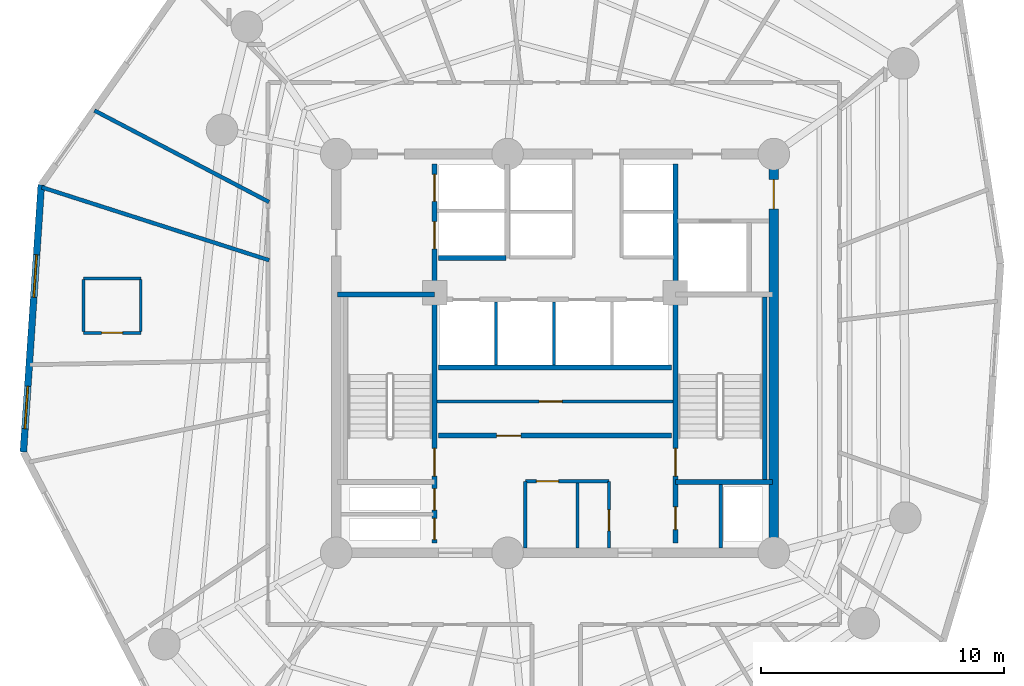
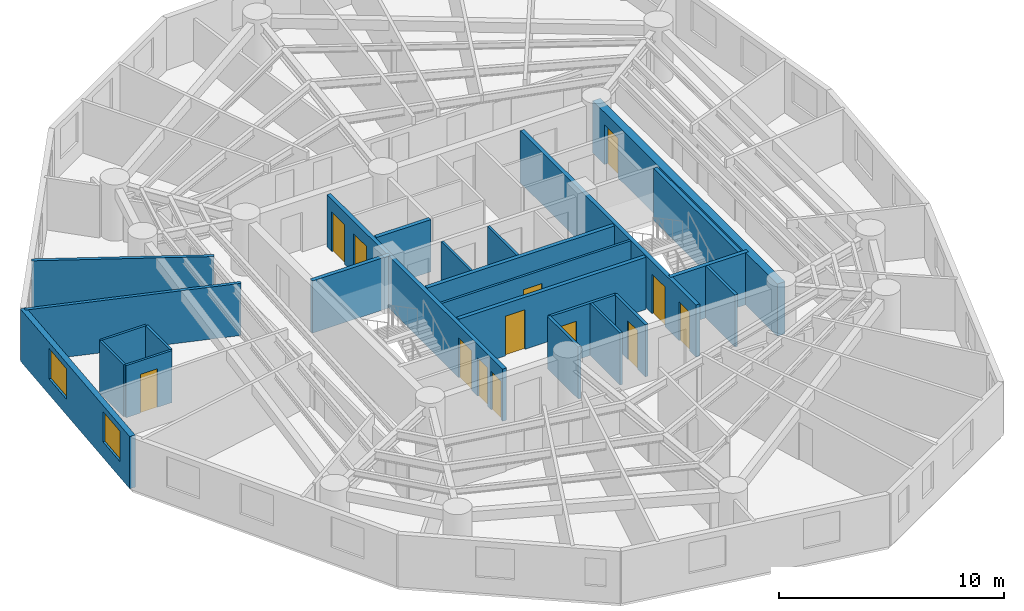
# One storey, part 4 of 8: 24 walls, 13 doors, 2 windows, 15 openings.
"""IFC4 building model written with IfcOpenShell, lengths in metres."""

import ifcopenshell
import ifcopenshell.guid

model = None  # the IFC model being written
_history = None  # IfcOwnerHistory: only IFC2X3 demands one
_inside = {}  # id of a spatial element -> (the spatial element, [elements in it])
_under = {}  # id of a project, library or spatial element -> (it, [spatial elements below it])
_declared = {}  # id of a project -> (the project, [libraries it declares])
_typed = {}  # id of a type object -> (the type object, [elements of that type])
_made_of = {}  # id of a material, layer set ... -> (it, [elements and type objects made of it])


def new_model(schema):
    """Start an empty IFC model of exactly this schema.

    Asked for "IFC4X3", IfcOpenShell would pick the latest addendum, in which some entities
    have other attributes; the version numbers below select the first issue.
    IFC2X3 requires an IfcOwnerHistory on every rooted entity: one is made here for all.
    """
    global model, _history
    if schema == "IFC4X3":
        model = ifcopenshell.file(schema_version=(4, 3, 0, 0))
    else:
        model = ifcopenshell.file(schema=schema)
    _inside.clear()
    _under.clear()
    _declared.clear()
    _typed.clear()
    _made_of.clear()
    _history = None
    if model.schema == "IFC2X3":
        org = make("IfcOrganization", Name="unknown")
        user = make(
            "IfcPersonAndOrganization",
            ThePerson=make("IfcPerson", FamilyName="unknown"),
            TheOrganization=org,
        )
        app = make(
            "IfcApplication",
            ApplicationDeveloper=org,
            Version="unknown",
            ApplicationFullName="unknown",
            ApplicationIdentifier="unknown",
        )
        _history = make(
            "IfcOwnerHistory",
            OwningUser=user,
            OwningApplication=app,
            ChangeAction="ADDED",
            CreationDate=0,
        )
    return model


def make(cls, **values):
    """One entity of the class cls with the attributes given. An attribute that is None is left unset."""
    return model.create_entity(
        cls, **{name: value for name, value in values.items() if value is not None}
    )


def rooted(cls, **values):
    """An entity with a GlobalId (a new one), such as an element, a storey or a relation."""
    return make(cls, GlobalId=ifcopenshell.guid.new(), OwnerHistory=_history, **values)


def si_unit(unit_type, name, prefix=None):
    """IfcSIUnit, for example si_unit("LENGTHUNIT", "METRE", prefix="MILLI")."""
    return make("IfcSIUnit", UnitType=unit_type, Prefix=prefix, Name=name)


def assignment(units):
    """IfcUnitAssignment: the units of a project."""
    return None if units is None else make("IfcUnitAssignment", Units=units)


def point(xyz):
    """IfcCartesianPoint."""
    return None if xyz is None else make("IfcCartesianPoint", Coordinates=xyz)


def direction(xyz):
    """IfcDirection."""
    return None if xyz is None else make("IfcDirection", DirectionRatios=xyz)


def frame(location, z_axis=None, x_axis=None):
    """IfcAxis2Placement3D, a coordinate frame: its origin and axes. An axis left out is left unset."""
    return make(
        "IfcAxis2Placement3D",
        Location=point(location),
        Axis=direction(z_axis),
        RefDirection=direction(x_axis),
    )


def frame_2d(location, x_axis=None):
    """IfcAxis2Placement2D, a coordinate frame in the plane: its origin and x axis."""
    return make(
        "IfcAxis2Placement2D", Location=point(location), RefDirection=direction(x_axis)
    )


def origin():
    """The frame at (0, 0, 0) with its axes left unset."""
    return frame((0.0, 0.0, 0.0))


def origin_with_axes():
    """The frame at (0, 0, 0) with the z axis (0, 0, 1) and the x axis (1, 0, 0) written out."""
    return frame((0.0, 0.0, 0.0), z_axis=(0.0, 0.0, 1.0), x_axis=(1.0, 0.0, 0.0))


def place(relative_to, where):
    """IfcLocalPlacement: puts the frame where relative to a parent placement (None: the world)."""
    return make(
        "IfcLocalPlacement", PlacementRelTo=relative_to, RelativePlacement=where
    )


def context(
    kind, dimensions, precision=None, world=None, true_north=None, identifier=None
):
    """IfcGeometricRepresentationContext, for example the 3D "Model" context."""
    return make(
        "IfcGeometricRepresentationContext",
        ContextIdentifier=identifier,
        ContextType=kind,
        CoordinateSpaceDimension=dimensions,
        Precision=precision,
        WorldCoordinateSystem=world,
        TrueNorth=true_north,
    )


def subcontext(parent, identifier, kind, view, scale=None):
    """IfcGeometricRepresentationSubContext, for example "Body" below "Model"."""
    return make(
        "IfcGeometricRepresentationSubContext",
        ContextIdentifier=identifier,
        ContextType=kind,
        ParentContext=parent,
        TargetScale=scale,
        TargetView=view,
    )


def project(units=None, contexts=None):
    """IfcProject with its units and contexts."""
    return rooted(
        "IfcProject",
        Name="project",
        RepresentationContexts=contexts,
        UnitsInContext=assignment(units),
    )


def spatial(cls, under=None, at=None, **own):
    """A site, building, storey or space (cls), placed at a placement, below another one or the project."""
    s = rooted(cls, ObjectPlacement=at, **own)
    if under is not None:
        _under.setdefault(under.id(), (under, []))[1].append(s)
    return s


def profile(cls, at=None, kind="AREA", **sizes):
    """A parametric profile (cls). Its sizes go by their IFC names, for example OverallWidth=200.0."""
    return make(cls, ProfileType=kind, Position=at, **sizes)


def rectangle(**sizes):
    """IfcRectangleProfileDef."""
    return profile("IfcRectangleProfileDef", **sizes)


def extrude(swept, where, along, depth):
    """IfcExtrudedAreaSolid: the profile swept, set in the frame where, extruded along a direction by depth."""
    return make(
        "IfcExtrudedAreaSolid",
        SweptArea=swept,
        Position=where,
        ExtrudedDirection=direction(along),
        Depth=depth,
    )


def shape(context_of_items, identifier, shape_type, items):
    """IfcShapeRepresentation: the items that make up one representation, for example the "Body"."""
    return make(
        "IfcShapeRepresentation",
        ContextOfItems=context_of_items,
        RepresentationIdentifier=identifier,
        RepresentationType=shape_type,
        Items=items,
    )


def source(mapping_origin, context_of_items, identifier, shape_type, items):
    """IfcRepresentationMap: a shape defined once, which mapped items show again and again."""
    return make(
        "IfcRepresentationMap",
        MappingOrigin=mapping_origin,
        MappedRepresentation=shape(context_of_items, identifier, shape_type, items),
    )


def transform(
    local_origin,
    x_axis=None,
    y_axis=None,
    z_axis=None,
    scale=None,
    scale2=None,
    scale3=None,
    uniform=True,
):
    """IfcCartesianTransformationOperator3D, or its non-uniform kind. x_axis, y_axis, z_axis: its Axis1, 2, 3."""
    if uniform:
        return make(
            "IfcCartesianTransformationOperator3D",
            Axis1=direction(x_axis),
            Axis2=direction(y_axis),
            LocalOrigin=point(local_origin),
            Scale=scale,
            Axis3=direction(z_axis),
        )
    return make(
        "IfcCartesianTransformationOperator3DnonUniform",
        Axis1=direction(x_axis),
        Axis2=direction(y_axis),
        LocalOrigin=point(local_origin),
        Scale=scale,
        Axis3=direction(z_axis),
        Scale2=scale2,
        Scale3=scale3,
    )


def mapped(mapping_source, mapping_target):
    """IfcMappedItem: shows the shape of a source again, moved by a transform."""
    return make(
        "IfcMappedItem", MappingSource=mapping_source, MappingTarget=mapping_target
    )


def material(Name=None, Category=None):
    """IfcMaterial."""
    return make("IfcMaterial", Name=Name, Category=Category)


def layer(
    of_material, thickness, ventilated=None, Name=None, Category=None, Priority=None
):
    """IfcMaterialLayer: one layer of a wall or slab, of a material (None: an air gap)."""
    return make(
        "IfcMaterialLayer",
        Material=of_material,
        LayerThickness=thickness,
        IsVentilated=ventilated,
        Name=Name,
        Category=Category,
        Priority=Priority,
    )


def layer_set(layers, Name=None):
    """IfcMaterialLayerSet."""
    return make("IfcMaterialLayerSet", MaterialLayers=layers, LayerSetName=Name)


def made_of(thing, what):
    """Note that an element or type object is made of a material, layer set ...; save() writes the relation."""
    if what is not None:
        _made_of.setdefault(what.id(), (what, []))[1].append(thing)
    return thing


def type_object(cls, material=None, **own):
    """A type object (cls), such as IfcWallType, which elements share."""
    return made_of(rooted(cls, **own), material)


def element(
    cls,
    number,
    at=None,
    inside=None,
    cuts=None,
    type_object=None,
    material=None,
    context=None,
    identifier="Body",
    shape_type=None,
    held_by="IfcProductDefinitionShape",
    body=None,
    shapes=None,
    **own,
):
    """One element of the class cls, such as IfcWall. Its Tag is "e" and its number.

    at: its placement. inside: the storey or other place that contains it. cuts: it is an
    opening in that element (IfcRelVoidsElement). A single representation is given by context,
    identifier, shape_type and body (its items); several are given by shapes. held_by: the class
    of the entity that holds the representations. save() writes the other relations.
    """
    e = rooted(cls, Tag="e%d" % number, ObjectPlacement=at, **own)
    if body is not None:
        shapes = [shape(context, identifier, shape_type, body)]
    if shapes is not None:
        e.Representation = make(held_by, Representations=shapes)
    if inside is not None:
        _inside.setdefault(inside.id(), (inside, []))[1].append(e)
    if cuts is not None:
        rooted(
            "IfcRelVoidsElement", RelatingBuildingElement=cuts, RelatedOpeningElement=e
        )
    if type_object is not None:
        _typed.setdefault(type_object.id(), (type_object, []))[1].append(e)
    return made_of(e, material)


def fill(opening, filler):
    """IfcRelFillsElement: the door or window that sits in an opening."""
    return rooted(
        "IfcRelFillsElement",
        RelatingOpeningElement=opening,
        RelatedBuildingElement=filler,
    )


def aggregate(whole, parts):
    """IfcRelAggregates: a whole, such as a stair, and the parts it consists of."""
    return rooted("IfcRelAggregates", RelatingObject=whole, RelatedObjects=parts)


def save(model, path):
    """Write the relations noted so far, then the file.

    IfcRelAggregates (storeys below a building ...), IfcRelContainedInSpatialStructure (elements
    in a storey), IfcRelDefinesByType, IfcRelAssociatesMaterial and IfcRelDeclares: one each for
    every whole, place, type object, material and project.
    """
    for whole, parts in _under.values():
        aggregate(whole, parts)
    for where, things in _inside.values():
        rooted(
            "IfcRelContainedInSpatialStructure",
            RelatedElements=things,
            RelatingStructure=where,
        )
    for kind, things in _typed.values():
        rooted("IfcRelDefinesByType", RelatedObjects=things, RelatingType=kind)
    for what, things in _made_of.values():
        rooted("IfcRelAssociatesMaterial", RelatedObjects=things, RelatingMaterial=what)
    for by, libraries in _declared.values():
        rooted("IfcRelDeclares", RelatingContext=by, RelatedDefinitions=libraries)
    model.write(path)


model = new_model("IFC4")

# Units and contexts
model_context = context("Model", 3, precision=1e-05, world=origin(), true_north=direction((0.0, 1.0)))
body_context = subcontext(model_context, "Body", "Model", "MODEL_VIEW")
ifc_project = project(units=[si_unit("LENGTHUNIT", "METRE"), si_unit("AREAUNIT", "SQUARE_METRE"), si_unit("VOLUMEUNIT", "CUBIC_METRE"), si_unit("PLANEANGLEUNIT", "RADIAN"), si_unit("MASSUNIT", "GRAM", prefix="KILO")], contexts=[model_context])

# Site, building, storey
site_placement = place(None, origin())
site = spatial("IfcSite", under=ifc_project, at=site_placement, CompositionType="ELEMENT")
building_placement = place(site_placement, origin())
building = spatial("IfcBuilding", under=site, at=building_placement, Name="Karkom Vertical University and Central Library", CompositionType="ELEMENT")
storey_placement = place(building_placement, frame((0.0, 0.0, 177.89990234375)))
storey = spatial("IfcBuildingStorey", under=building, at=storey_placement, Name="L51", CompositionType="ELEMENT", Elevation=177.89990234375)

# Wall, openings, windows
ifc_material_1 = material(Name="Brick-faced precast concrete C45/55", Category="masonry")
ifc_layer_1 = layer(ifc_material_1, 0.280029296875)
ifc_layer_set_1 = layer_set([ifc_layer_1], Name="Brick-faced precast concrete C45/55")
wall_type_1 = type_object("IfcWallType", Name="ENV-WL-BRK-280", PredefinedType="SOLIDWALL", material=ifc_layer_set_1)
wall_1_placement = place(storey_placement, frame((7.372802734375, 33.436279296875, 0.0), z_axis=(0.0, 0.0, 1.0), x_axis=(-0.066959007497, -0.997755727277, 0.0)))
wall_1 = element("IfcWall", 1, at=wall_1_placement, inside=storey, type_object=wall_type_1, Name="Level 51 Brick-Faced Precast Facade Wall 01", PredefinedType="SOLIDWALL", context=body_context, shape_type="SweptSolid", body=[
    extrude(rectangle(XDim=11.01123046875, YDim=0.280029296875, at=frame_2d((5.505615234375, 0.0))), origin(), (0.0, 0.0, 1.0), 2.8251953125),
])
opening_1_placement = place(wall_1_placement, frame((2.885986328125, 0.0, 0.85009765625)))
opening_1 = element("IfcOpeningElement", 2, at=opening_1_placement, cuts=wall_1, Name="Opening WN-08", PredefinedType="OPENING", context=body_context, shape_type="SweptSolid", body=[
    extrude(rectangle(XDim=1.75, YDim=1.64990234375, at=frame_2d((0.875, 0.824951171875))), frame((0.0, 0.14990234375, 0.0), z_axis=(0.0, -1.0, 0.0), x_axis=(1.0, 0.0, 0.0)), (0.0, 0.0, 1.0), 0.300048828125),
])
opening_2_placement = place(wall_1_placement, frame((8.306884765625, 0.0, 0.85009765625)))
opening_2 = element("IfcOpeningElement", 3, at=opening_2_placement, cuts=wall_1, Name="Opening WN-08", PredefinedType="OPENING", context=body_context, shape_type="SweptSolid", body=[
    extrude(rectangle(XDim=1.75, YDim=1.64990234375, at=frame_2d((0.875, 0.824951171875))), frame((0.0, 0.14990234375, 0.0), z_axis=(0.0, -1.0, 0.0), x_axis=(1.0, 0.0, 0.0)), (0.0, 0.0, 1.0), 0.300048828125),
])
ifc_material_2 = material(Name="Aluminium thermal-break frame with solar-control IGU", Category="aluminium")
window_type = type_object("IfcWindowType", Name="ENV-WIN-WN-08", PartitioningType="SINGLE_PANEL", PredefinedType="WINDOW", material=ifc_material_2)
shared_shape_1 = source(origin_with_axes(), body_context, "Body", "SweptSolid", [
    extrude(rectangle(XDim=1.75, YDim=1.64990234375, at=frame_2d((0.875, 0.824951171875))), frame((0.0, 0.030029296875, 0.0), z_axis=(0.0, -1.0, 0.0), x_axis=(1.0, 0.0, 0.0)), (0.0, 0.0, 1.0), 0.06005859375),
])
window_1_placement = place(opening_1_placement, origin())
window_1 = element("IfcWindow", 4, at=window_1_placement, inside=storey, type_object=window_type, Name="Level 51 Punched Window 1.1", OverallHeight=1.64990234375, OverallWidth=1.75, PartitioningType="SINGLE_PANEL", PredefinedType="WINDOW", context=body_context, shape_type="MappedRepresentation", body=[
    mapped(shared_shape_1, transform((0.0, 0.0, 0.0), scale=1.0)),
])
fill(opening_1, window_1)
window_2_placement = place(opening_2_placement, origin())
window_2 = element("IfcWindow", 5, at=window_2_placement, inside=storey, type_object=window_type, Name="Level 51 Punched Window 1.2", OverallHeight=1.64990234375, OverallWidth=1.75, PartitioningType="SINGLE_PANEL", PredefinedType="WINDOW", context=body_context, shape_type="MappedRepresentation", body=[
    mapped(shared_shape_1, transform((0.0, 0.0, 0.0), scale=1.0)),
])
fill(opening_2, window_2)

# Walls
ifc_material_3 = material(Name="Insulated metal-stud drywall 160mm", Category="gypsum")
ifc_layer_2 = layer(ifc_material_3, 0.159912109375)
ifc_layer_set_2 = layer_set([ifc_layer_2], Name="Insulated metal-stud drywall 160mm")
wall_type_2 = type_object("IfcWallType", Name="INT-WL-COR-160", PredefinedType="PARTITIONING", material=ifc_layer_set_2)
wall_2_placement = place(storey_placement, frame((16.742919921875, 30.334228515625, 0.0), z_axis=(0.0, 0.0, 1.0), x_axis=(-0.952209995443, 0.305444143141, 0.0)))
element("IfcWall", 6, at=wall_2_placement, inside=storey, type_object=wall_type_2, Name="Level 51 Interior Partition Wall L51-PW-035", PredefinedType="PARTITIONING", context=body_context, shape_type="SweptSolid", body=[
    extrude(rectangle(XDim=9.8193359375, YDim=0.159912109375, at=frame_2d((4.90966796875, 0.0))), origin(), (0.0, 0.0, 1.0), 2.8251953125),
])
wall_3_placement = place(storey_placement, frame((16.739990234375, 32.728759765625, 0.0), z_axis=(0.0, 0.0, 1.0), x_axis=(-0.885800299432, 0.464066621861, 0.0)))
element("IfcWall", 7, at=wall_3_placement, inside=storey, type_object=wall_type_2, Name="Level 51 Interior Partition Wall L51-PW-034", PredefinedType="PARTITIONING", context=body_context, shape_type="SweptSolid", body=[
    extrude(rectangle(XDim=8.108642578125, YDim=0.159912109375, at=frame_2d((4.05419921875, 0.0))), origin(), (0.0, 0.0, 1.0), 2.8251953125),
])
ifc_material_4 = material(Name="Moisture-resistant drywall 120mm", Category="gypsum")
ifc_layer_3 = layer(ifc_material_4, 0.1201171875)
ifc_layer_set_3 = layer_set([ifc_layer_3], Name="Moisture-resistant drywall 120mm")
wall_type_3 = type_object("IfcWallType", Name="INT-WL-INT-120", PredefinedType="PARTITIONING", material=ifc_layer_set_3)
wall_4_placement = place(storey_placement, frame((29.419921875, 18.507080078125, 0.0), z_axis=(0.0, 0.0, 1.0), x_axis=(0.0, 1.0, 0.0)))
element("IfcWall", 8, at=wall_4_placement, inside=storey, type_object=wall_type_3, Name="Level 51 Interior Partition Wall L51-CW-K3-DIV", PredefinedType="PARTITIONING", context=body_context, shape_type="SweptSolid", body=[
    extrude(rectangle(XDim=2.66162109375, YDim=0.1201171875, at=frame_2d((1.330810546875, 0.0))), origin(), (0.0, 0.0, 1.0), 2.8251953125),
])

# Wall, opening, door
ifc_layer_4 = layer(ifc_material_4, 0.1201171875)
ifc_layer_set_4 = layer_set([ifc_layer_4], Name="Moisture-resistant drywall 120mm")
wall_type_4 = type_object("IfcWallType", Name="INT-WL-INT-120F", PredefinedType="PARTITIONING", material=ifc_layer_set_4)
wall_5_placement = place(storey_placement, frame((23.652099609375, 24.52001953125, 0.0), z_axis=(0.0, 0.0, 1.0), x_axis=(1.0, 0.0, 0.0)))
wall_5 = element("IfcWall", 9, at=wall_5_placement, inside=storey, type_object=wall_type_4, Name="Level 51 Interior Partition Wall L51-CW-B1-K3H", PredefinedType="PARTITIONING", context=body_context, shape_type="SweptSolid", body=[
    extrude(rectangle(XDim=9.697509765625, YDim=0.1201171875, at=frame_2d((4.8486328125, 0.0))), origin(), (0.0, 0.0, 1.0), 2.8251953125),
])
opening_3_placement = place(wall_5_placement, frame((4.199951171875, 0.0, 0.0)))
opening_3 = element("IfcOpeningElement", 10, at=opening_3_placement, cuts=wall_5, Name="Opening D-WC1", PredefinedType="OPENING", context=body_context, shape_type="SweptSolid", body=[
    extrude(rectangle(XDim=0.93994140625, YDim=2.10009765625, at=frame_2d((0.469970703125, 1.050048828125))), frame((0.0, 0.070068359375, 0.0), z_axis=(0.0, -1.0, 0.0), x_axis=(1.0, 0.0, 0.0)), (0.0, 0.0, 1.0), 0.14013671875),
])
ifc_material_5 = material(Name="Fire-rated laminate moisture-resistant door", Category="wood")
door_type_1 = type_object("IfcDoorType", Name="INT-DR-WC1", OperationType="NOTDEFINED", PredefinedType="DOOR", material=ifc_material_5)
shared_shape_2 = source(origin_with_axes(), body_context, "Body", "SweptSolid", [
    extrude(rectangle(XDim=0.93994140625, YDim=2.10009765625, at=frame_2d((0.469970703125, 1.050048828125))), frame((0.0, 0.02490234375, 0.0), z_axis=(0.0, -1.0, 0.0), x_axis=(1.0, 0.0, 0.0)), (0.0, 0.0, 1.0), 0.050048828125),
])
door_1_placement = place(opening_3_placement, origin())
door_1 = element("IfcDoor", 11, at=door_1_placement, inside=storey, type_object=door_type_1, Name="Level 51 B1 Core WC Strip Door", OperationType="SINGLE_SWING_LEFT", OverallHeight=2.10009765625, OverallWidth=0.93994140625, PredefinedType="DOOR", context=body_context, shape_type="MappedRepresentation", body=[
    mapped(shared_shape_2, transform((0.0, 0.0, 0.0), scale=1.0)),
])
fill(opening_3, door_1)

wall_6_placement = place(storey_placement, frame((9.10302734375, 27.34912109375, 0.0), z_axis=(0.0, 0.0, 1.0), x_axis=(1.0, 0.0, 0.0)))
wall_6 = element("IfcWall", 12, at=wall_6_placement, inside=storey, type_object=wall_type_4, Name="Level 51 Interior Partition Wall L51-ENS-95-S", PredefinedType="PARTITIONING", context=body_context, shape_type="SweptSolid", body=[
    extrude(rectangle(XDim=2.35986328125, YDim=0.1201171875, at=frame_2d((1.179931640625, 0.0))), origin(), (0.0, 0.0, 1.0), 2.8251953125),
])
opening_4_placement = place(wall_6_placement, frame((0.75, 0.0, 0.0)))
opening_4 = element("IfcOpeningElement", 13, at=opening_4_placement, cuts=wall_6, Name="Opening D-BATH", PredefinedType="OPENING", context=body_context, shape_type="SweptSolid", body=[
    extrude(rectangle(XDim=0.860107421875, YDim=2.10009765625, at=frame_2d((0.43017578125, 1.050048828125))), frame((0.0, 0.070068359375, 0.0), z_axis=(0.0, -1.0, 0.0), x_axis=(1.0, 0.0, 0.0)), (0.0, 0.0, 1.0), 0.14013671875),
])
ifc_material_6 = material(Name="Moisture-resistant oak door", Category="wood")
door_type_2 = type_object("IfcDoorType", Name="INT-DR-BATH", OperationType="NOTDEFINED", PredefinedType="DOOR", material=ifc_material_6)
shared_shape_3 = source(origin_with_axes(), body_context, "Body", "SweptSolid", [
    extrude(rectangle(XDim=0.860107421875, YDim=2.10009765625, at=frame_2d((0.43017578125, 1.050048828125))), frame((0.0, 0.02490234375, 0.0), z_axis=(0.0, -1.0, 0.0), x_axis=(1.0, 0.0, 0.0)), (0.0, 0.0, 1.0), 0.050048828125),
])
door_2_placement = place(opening_4_placement, origin())
door_2 = element("IfcDoor", 14, at=door_2_placement, inside=storey, type_object=door_type_2, Name="Level 51 En-Suite Bathroom Door 95", OperationType="SINGLE_SWING_LEFT", OverallHeight=2.10009765625, OverallWidth=0.860107421875, PredefinedType="DOOR", context=body_context, shape_type="MappedRepresentation", body=[
    mapped(shared_shape_3, transform((0.0, 0.0, 0.0), scale=1.0)),
])
fill(opening_4, door_2)

# Walls
wall_7_placement = place(storey_placement, frame((11.462890625, 29.589111328125, 0.0), z_axis=(0.0, 0.0, 1.0), x_axis=(-1.0, 0.0, 0.0)))
element("IfcWall", 15, at=wall_7_placement, inside=storey, type_object=wall_type_4, Name="Level 51 Interior Partition Wall L51-ENS-95-N", PredefinedType="PARTITIONING", context=body_context, shape_type="SweptSolid", body=[
    extrude(rectangle(XDim=2.35986328125, YDim=0.1201171875, at=frame_2d((1.179931640625, 0.0))), origin(), (0.0, 0.0, 1.0), 2.8251953125),
])
for number, where, z_axis, x_axis, name in (
    (16, (11.462890625, 27.39892578125, 0.0), (0.0, 0.0, 1.0), (0.0, 1.0, 0.0), "Level 51 Interior Partition Wall L51-ENS-95-E"),
    (17, (9.10302734375, 29.5390625, 0.0), (0.0, 0.0, 1.0), (0.0, -1.0, 0.0), "Level 51 Interior Partition Wall L51-ENS-95-W"),
):
    element("IfcWall", number, at=place(storey_placement, frame(where, z_axis=z_axis, x_axis=x_axis)), inside=storey, type_object=wall_type_4, Name=name, PredefinedType="PARTITIONING", context=body_context, shape_type="SweptSolid", body=[
        extrude(rectangle(XDim=2.14013671875, YDim=0.1201171875, at=frame_2d((1.070068359375, 0.0))), origin(), (0.0, 0.0, 1.0), 2.8251953125),
    ])
ifc_layer_5 = layer(ifc_material_4, 0.1201171875)
ifc_layer_set_5 = layer_set([ifc_layer_5], Name="Moisture-resistant drywall 120mm")
wall_type_5 = type_object("IfcWallType", Name="INT-WL-INT-120H", PredefinedType="PARTITIONING", material=ifc_layer_set_5)
for number, where, z_axis, x_axis, name in (
    (18, (26.080078125, 26.02001953125, 0.0), (0.0, 0.0, 1.0), (0.0, 1.0, 0.0), "Level 51 Interior Partition Wall L51-CW-PM-DIV1"),
    (19, (28.4599609375, 26.02001953125, 0.0), (0.0, 0.0, 1.0), (0.0, 1.0, 0.0), "Level 51 Interior Partition Wall L51-CW-PM-DIV2"),
):
    element("IfcWall", number, at=place(storey_placement, frame(where, z_axis=z_axis, x_axis=x_axis)), inside=storey, type_object=wall_type_5, Name=name, PredefinedType="PARTITIONING", context=body_context, shape_type="SweptSolid", body=[
        extrude(rectangle(XDim=2.60009765625, YDim=0.1201171875, at=frame_2d((1.300048828125, 0.0))), origin(), (0.0, 0.0, 1.0), 2.8251953125),
    ])

# Wall, opening, door
ifc_material_7 = material(Name="Metal-stud gypsum partition 140mm", Category="gypsum")
ifc_layer_6 = layer(ifc_material_7, 0.139892578125)
ifc_layer_set_6 = layer_set([ifc_layer_6], Name="Metal-stud gypsum partition 140mm")
wall_type_6 = type_object("IfcWallType", Name="INT-WL-SUB-140", PredefinedType="PARTITIONING", material=ifc_layer_set_6)
wall_8_placement = place(storey_placement, frame((27.280029296875, 21.239990234375, 0.0), z_axis=(0.0, 0.0, 1.0), x_axis=(1.0, 0.0, 0.0)))
wall_8 = element("IfcWall", 20, at=wall_8_placement, inside=storey, type_object=wall_type_6, Name="Level 51 Interior Partition Wall L51-CW-KBAY-N", PredefinedType="PARTITIONING", context=body_context, shape_type="SweptSolid", body=[
    extrude(rectangle(XDim=3.43994140625, YDim=0.139892578125, at=frame_2d((1.719970703125, 0.0))), origin(), (0.0, 0.0, 1.0), 2.8251953125),
])
opening_5_placement = place(wall_8_placement, frame((0.449951171875, 0.0, 0.0)))
opening_5 = element("IfcOpeningElement", 21, at=opening_5_placement, cuts=wall_8, Name="Opening D-SVC1", PredefinedType="OPENING", context=body_context, shape_type="SweptSolid", body=[
    extrude(rectangle(XDim=0.919921875, YDim=2.10009765625, at=frame_2d((0.4599609375, 1.050048828125))), frame((0.0, 0.080078125, 0.0), z_axis=(0.0, -1.0, 0.0), x_axis=(1.0, 0.0, 0.0)), (0.0, 0.0, 1.0), 0.159912109375),
])
ifc_material_8 = material(Name="Painted timber service door", Category="wood")
door_type_3 = type_object("IfcDoorType", Name="INT-DR-SVC1", OperationType="NOTDEFINED", PredefinedType="DOOR", material=ifc_material_8)
shared_shape_4 = source(origin_with_axes(), body_context, "Body", "SweptSolid", [
    extrude(rectangle(XDim=0.919921875, YDim=2.10009765625, at=frame_2d((0.4599609375, 1.050048828125))), frame((0.0, 0.02490234375, 0.0), z_axis=(0.0, -1.0, 0.0), x_axis=(1.0, 0.0, 0.0)), (0.0, 0.0, 1.0), 0.050048828125),
])
door_3_placement = place(opening_5_placement, origin())
door_3 = element("IfcDoor", 22, at=door_3_placement, inside=storey, type_object=door_type_3, Name="Level 51 Copy Room Door", OperationType="SINGLE_SWING_RIGHT", OverallHeight=2.10009765625, OverallWidth=0.919921875, PredefinedType="DOOR", context=body_context, shape_type="MappedRepresentation", body=[
    mapped(shared_shape_4, transform((0.0, 0.0, 0.0), scale=1.0)),
])
fill(opening_5, door_3)

# Wall
wall_9_placement = place(storey_placement, frame((27.280029296875, 18.507080078125, 0.0), z_axis=(0.0, 0.0, 1.0), x_axis=(0.0, 1.0, 0.0)))
element("IfcWall", 23, at=wall_9_placement, inside=storey, type_object=wall_type_6, Name="Level 51 Interior Partition Wall L51-CW-KBAY-W", PredefinedType="PARTITIONING", context=body_context, shape_type="SweptSolid", body=[
    extrude(rectangle(XDim=2.73291015625, YDim=0.139892578125, at=frame_2d((1.366455078125, 0.0))), origin(), (0.0, 0.0, 1.0), 2.8251953125),
])

# Wall, opening, door
wall_10_placement = place(storey_placement, frame((30.719970703125, 18.507080078125, 0.0), z_axis=(0.0, 0.0, 1.0), x_axis=(0.0, 1.0, 0.0)))
wall_10 = element("IfcWall", 24, at=wall_10_placement, inside=storey, type_object=wall_type_6, Name="Level 51 Interior Partition Wall L51-CW-KBAY-E", PredefinedType="PARTITIONING", context=body_context, shape_type="SweptSolid", body=[
    extrude(rectangle(XDim=2.73291015625, YDim=0.139892578125, at=frame_2d((1.366455078125, 0.0))), origin(), (0.0, 0.0, 1.0), 2.8251953125),
])
opening_6_placement = place(wall_10_placement, frame((0.699951171875, 0.0, 0.0)))
opening_6 = element("IfcOpeningElement", 25, at=opening_6_placement, cuts=wall_10, Name="Opening D-BATH", PredefinedType="OPENING", context=body_context, shape_type="SweptSolid", body=[
    extrude(rectangle(XDim=0.860107421875, YDim=2.10009765625, at=frame_2d((0.43017578125, 1.050048828125))), frame((0.0, 0.080078125, 0.0), z_axis=(0.0, -1.0, 0.0), x_axis=(1.0, 0.0, 0.0)), (0.0, 0.0, 1.0), 0.159912109375),
])
door_4_placement = place(opening_6_placement, origin())
door_4 = element("IfcDoor", 26, at=door_4_placement, inside=storey, type_object=door_type_2, Name="Level 51 Janitor Door", OperationType="SINGLE_SWING_LEFT", OverallHeight=2.10009765625, OverallWidth=0.860107421875, PredefinedType="DOOR", context=body_context, shape_type="MappedRepresentation", body=[
    mapped(shared_shape_3, transform((0.0, 0.0, 0.0), scale=1.0)),
])
fill(opening_6, door_4)

# Wall
ifc_layer_7 = layer(ifc_material_7, 0.139892578125)
ifc_layer_set_7 = layer_set([ifc_layer_7], Name="Metal-stud gypsum partition 140mm")
wall_type_7 = type_object("IfcWallType", Name="INT-WL-SUB-140H", PredefinedType="PARTITIONING", material=ifc_layer_set_7)
wall_11_placement = place(storey_placement, frame((35.320068359375, 18.507080078125, 0.0), z_axis=(0.0, 0.0, 1.0), x_axis=(0.0, 1.0, 0.0)))
element("IfcWall", 27, at=wall_11_placement, inside=storey, type_object=wall_type_7, Name="Level 51 Interior Partition Wall L51-CW-RIS-E", PredefinedType="PARTITIONING", context=body_context, shape_type="SweptSolid", body=[
    extrude(rectangle(XDim=2.603759765625, YDim=0.139892578125, at=frame_2d((1.3017578125, 0.0))), origin(), (0.0, 0.0, 1.0), 2.8251953125),
])

# Wall, opening, door
ifc_material_9 = material(Name="Concrete C50/60", Category="concrete")
ifc_layer_8 = layer(ifc_material_9, 0.39990234375)
ifc_layer_set_8 = layer_set([ifc_layer_8], Name="Concrete C50/60")
wall_type_8 = type_object("IfcWallType", Name="STR-WL-CW-400", PredefinedType="SHEAR", material=ifc_layer_set_8)
wall_12_placement = place(storey_placement, frame((37.5, 18.300048828125, 0.0), z_axis=(0.0, 0.0, 1.0), x_axis=(0.0, 1.0, 0.0)))
wall_12 = element("IfcWall", 28, at=wall_12_placement, inside=storey, type_object=wall_type_8, Name="Level 51 Central Core Shear Wall EW", PredefinedType="SHEAR", context=body_context, shape_type="SweptSolid", body=[
    extrude(rectangle(XDim=16.39990234375, YDim=0.39990234375, at=frame_2d((8.199951171875, 0.0))), origin(), (0.0, 0.0, 1.0), 2.8251953125),
])
opening_7_placement = place(wall_12_placement, frame((14.14990234375, 0.0, 0.0)))
opening_7 = element("IfcOpeningElement", 29, at=opening_7_placement, cuts=wall_12, Name="Opening FD-SUB1", PredefinedType="OPENING", context=body_context, shape_type="SweptSolid", body=[
    extrude(rectangle(XDim=1.199951171875, YDim=2.14990234375, at=frame_2d((0.60009765625, 1.074951171875))), frame((0.0, 0.2099609375, 0.0), z_axis=(0.0, -1.0, 0.0), x_axis=(1.0, 0.0, 0.0)), (0.0, 0.0, 1.0), 0.419921875),
])
ifc_material_10 = material(Name="Painted steel fire door", Category="steel")
door_type_4 = type_object("IfcDoorType", Name="INT-DR-SUB1", OperationType="NOTDEFINED", PredefinedType="DOOR", material=ifc_material_10)
shared_shape_5 = source(origin_with_axes(), body_context, "Body", "SweptSolid", [
    extrude(rectangle(XDim=1.199951171875, YDim=2.14990234375, at=frame_2d((0.60009765625, 1.074951171875))), frame((0.0, 0.02490234375, 0.0), z_axis=(0.0, -1.0, 0.0), x_axis=(1.0, 0.0, 0.0)), (0.0, 0.0, 1.0), 0.050048828125),
])
door_5_placement = place(opening_7_placement, origin())
door_5 = element("IfcDoor", 30, at=door_5_placement, inside=storey, type_object=door_type_4, Name="Level 51 East Corridor Service Lobby Door", OperationType="SINGLE_SWING_LEFT", OverallHeight=2.14990234375, OverallWidth=1.199951171875, PredefinedType="DOOR", context=body_context, shape_type="MappedRepresentation", body=[
    mapped(shared_shape_5, transform((0.0, 0.0, 0.0), scale=1.0)),
])
fill(opening_7, door_5)

# Wall, openings, doors
ifc_material_11 = material(Name="Concrete C45/55", Category="concrete")
ifc_layer_9 = layer(ifc_material_11, 0.199951171875)
ifc_layer_set_9 = layer_set([ifc_layer_9], Name="Concrete C45/55")
wall_type_9 = type_object("IfcWallType", Name="STR-WL-ST-200", PredefinedType="SHEAR", material=ifc_layer_set_9)
wall_13_placement = place(storey_placement, frame((23.544921875, 18.699951171875, 0.0), z_axis=(0.0, 0.0, 1.0), x_axis=(0.0, 1.0, 0.0)))
wall_13 = element("IfcWall", 31, at=wall_13_placement, inside=storey, type_object=wall_type_9, Name="Level 51 Core Shaft Wall L51-CW-ST1-E", PredefinedType="SHEAR", context=body_context, shape_type="SweptSolid", body=[
    extrude(rectangle(XDim=15.60009765625, YDim=0.199951171875, at=frame_2d((7.800048828125, 0.0))), origin(), (0.0, 0.0, 1.0), 2.8251953125),
])
opening_8_placement = place(wall_13_placement, frame((2.75, 0.0, 0.0)))
opening_8 = element("IfcOpeningElement", 32, at=opening_8_placement, cuts=wall_13, Name="Opening FD-ST1", PredefinedType="OPENING", context=body_context, shape_type="SweptSolid", body=[
    extrude(rectangle(XDim=1.14990234375, YDim=2.14990234375, at=frame_2d((0.574951171875, 1.074951171875))), frame((0.0, 0.10986328125, 0.0), z_axis=(0.0, -1.0, 0.0), x_axis=(1.0, 0.0, 0.0)), (0.0, 0.0, 1.0), 0.219970703125),
])
opening_9_placement = place(wall_13_placement, frame((0.139892578125, 0.0, 0.0)))
opening_9 = element("IfcOpeningElement", 33, at=opening_9_placement, cuts=wall_13, Name="Opening FD-RIS", PredefinedType="OPENING", context=body_context, shape_type="SweptSolid", body=[
    extrude(rectangle(XDim=0.8798828125, YDim=2.10009765625, at=frame_2d((0.43994140625, 1.050048828125))), frame((0.0, 0.10986328125, 0.0), z_axis=(0.0, -1.0, 0.0), x_axis=(1.0, 0.0, 0.0)), (0.0, 0.0, 1.0), 0.219970703125),
])
opening_10_placement = place(wall_13_placement, frame((1.360107421875, 0.0, 0.0)))
opening_10 = element("IfcOpeningElement", 34, at=opening_10_placement, cuts=wall_13, Name="Opening FD-RIS", PredefinedType="OPENING", context=body_context, shape_type="SweptSolid", body=[
    extrude(rectangle(XDim=0.8798828125, YDim=2.10009765625, at=frame_2d((0.43994140625, 1.050048828125))), frame((0.0, 0.10986328125, 0.0), z_axis=(0.0, -1.0, 0.0), x_axis=(1.0, 0.0, 0.0)), (0.0, 0.0, 1.0), 0.219970703125),
])
opening_11_placement = place(wall_13_placement, frame((12.10009765625, 0.0, 0.0)))
opening_11 = element("IfcOpeningElement", 35, at=opening_11_placement, cuts=wall_13, Name="Opening LD-FFL", PredefinedType="OPENING", context=body_context, shape_type="SweptSolid", body=[
    extrude(rectangle(XDim=1.1201171875, YDim=2.14990234375, at=frame_2d((0.56005859375, 1.074951171875))), frame((0.0, 0.10986328125, 0.0), z_axis=(0.0, -1.0, 0.0), x_axis=(1.0, 0.0, 0.0)), (0.0, 0.0, 1.0), 0.219970703125),
])
opening_12_placement = place(wall_13_placement, frame((14.050048828125, 0.0, 0.0)))
opening_12 = element("IfcOpeningElement", 36, at=opening_12_placement, cuts=wall_13, Name="Opening LD-FFL", PredefinedType="OPENING", context=body_context, shape_type="SweptSolid", body=[
    extrude(rectangle(XDim=1.1201171875, YDim=2.14990234375, at=frame_2d((0.56005859375, 1.074951171875))), frame((0.0, 0.10986328125, 0.0), z_axis=(0.0, -1.0, 0.0), x_axis=(1.0, 0.0, 0.0)), (0.0, 0.0, 1.0), 0.219970703125),
])
ifc_material_12 = material(Name="Painted steel acoustic fire door", Category="steel")
door_type_5 = type_object("IfcDoorType", Name="INT-DR-ST1", OperationType="NOTDEFINED", PredefinedType="DOOR", material=ifc_material_12)
shared_shape_6 = source(origin_with_axes(), body_context, "Body", "SweptSolid", [
    extrude(rectangle(XDim=1.14990234375, YDim=2.14990234375, at=frame_2d((0.574951171875, 1.074951171875))), frame((0.0, 0.02490234375, 0.0), z_axis=(0.0, -1.0, 0.0), x_axis=(1.0, 0.0, 0.0)), (0.0, 0.0, 1.0), 0.050048828125),
])
door_6_placement = place(opening_8_placement, origin())
door_6 = element("IfcDoor", 37, at=door_6_placement, inside=storey, type_object=door_type_5, Name="Level 51 Stair ST-1 Fire Door", OperationType="SINGLE_SWING_LEFT", OverallHeight=2.14990234375, OverallWidth=1.14990234375, PredefinedType="DOOR", context=body_context, shape_type="MappedRepresentation", body=[
    mapped(shared_shape_6, transform((0.0, 0.0, 0.0), scale=1.0)),
])
fill(opening_8, door_6)
ifc_material_13 = material(Name="Painted steel riser access door", Category="steel")
door_type_6 = type_object("IfcDoorType", Name="INT-DR-RIS", OperationType="NOTDEFINED", PredefinedType="DOOR", material=ifc_material_13)
shared_shape_7 = source(origin_with_axes(), body_context, "Body", "SweptSolid", [
    extrude(rectangle(XDim=0.8798828125, YDim=2.10009765625, at=frame_2d((0.43994140625, 1.050048828125))), frame((0.0, 0.02490234375, 0.0), z_axis=(0.0, -1.0, 0.0), x_axis=(1.0, 0.0, 0.0)), (0.0, 0.0, 1.0), 0.050048828125),
])
door_7_placement = place(opening_9_placement, origin())
door_7 = element("IfcDoor", 38, at=door_7_placement, inside=storey, type_object=door_type_6, Name="Level 51 Electrical Riser Access Door", OperationType="SINGLE_SWING_LEFT", OverallHeight=2.10009765625, OverallWidth=0.8798828125, PredefinedType="DOOR", context=body_context, shape_type="MappedRepresentation", body=[
    mapped(shared_shape_7, transform((0.0, 0.0, 0.0), scale=1.0)),
])
fill(opening_9, door_7)
door_8_placement = place(opening_10_placement, origin())
door_8 = element("IfcDoor", 39, at=door_8_placement, inside=storey, type_object=door_type_6, Name="Level 51 Telecom Riser Access Door", OperationType="SINGLE_SWING_RIGHT", OverallHeight=2.10009765625, OverallWidth=0.8798828125, PredefinedType="DOOR", context=body_context, shape_type="MappedRepresentation", body=[
    mapped(shared_shape_7, transform((0.0, 0.0, 0.0), scale=1.0)),
])
fill(opening_10, door_8)
ifc_material_14 = material(Name="Fire-rated stainless-steel landing door", Category="steel")
door_type_7 = type_object("IfcDoorType", Name="INT-DR-LD-FFL", OperationType="SLIDING_TO_LEFT", PredefinedType="DOOR", material=ifc_material_14)
shared_shape_8 = source(origin_with_axes(), body_context, "Body", "SweptSolid", [
    extrude(rectangle(XDim=1.1201171875, YDim=2.14990234375, at=frame_2d((0.56005859375, 1.074951171875))), frame((0.0, 0.02490234375, 0.0), z_axis=(0.0, -1.0, 0.0), x_axis=(1.0, 0.0, 0.0)), (0.0, 0.0, 1.0), 0.050048828125),
])
door_9_placement = place(opening_11_placement, origin())
door_9 = element("IfcDoor", 40, at=door_9_placement, inside=storey, type_object=door_type_7, Name="Level 51 Firefighting Lift FFL-1 Landing Door", OperationType="SLIDING_TO_LEFT", OverallHeight=2.14990234375, OverallWidth=1.1201171875, PredefinedType="DOOR", context=body_context, shape_type="MappedRepresentation", body=[
    mapped(shared_shape_8, transform((0.0, 0.0, 0.0), scale=1.0)),
])
fill(opening_11, door_9)
door_10_placement = place(opening_12_placement, origin())
door_10 = element("IfcDoor", 41, at=door_10_placement, inside=storey, type_object=door_type_7, Name="Level 51 Firefighting Lift FFL-2 Landing Door", OperationType="SLIDING_TO_RIGHT", OverallHeight=2.14990234375, OverallWidth=1.1201171875, PredefinedType="DOOR", context=body_context, shape_type="MappedRepresentation", body=[
    mapped(shared_shape_8, transform((0.0, 0.0, 0.0), scale=1.0)),
])
fill(opening_12, door_10)

wall_14_placement = place(storey_placement, frame((33.455078125, 18.699951171875, 0.0), z_axis=(0.0, 0.0, 1.0), x_axis=(0.0, 1.0, 0.0)))
wall_14 = element("IfcWall", 42, at=wall_14_placement, inside=storey, type_object=wall_type_9, Name="Level 51 Core Shaft Wall L51-CW-ST2-W", PredefinedType="SHEAR", context=body_context, shape_type="SweptSolid", body=[
    extrude(rectangle(XDim=15.60009765625, YDim=0.199951171875, at=frame_2d((7.800048828125, 0.0))), origin(), (0.0, 0.0, 1.0), 2.8251953125),
])
opening_13_placement = place(wall_14_placement, frame((2.75, 0.0, 0.0)))
opening_13 = element("IfcOpeningElement", 43, at=opening_13_placement, cuts=wall_14, Name="Opening FD-ST1", PredefinedType="OPENING", context=body_context, shape_type="SweptSolid", body=[
    extrude(rectangle(XDim=1.14990234375, YDim=2.14990234375, at=frame_2d((0.574951171875, 1.074951171875))), frame((0.0, 0.10986328125, 0.0), z_axis=(0.0, -1.0, 0.0), x_axis=(1.0, 0.0, 0.0)), (0.0, 0.0, 1.0), 0.219970703125),
])
opening_14_placement = place(wall_14_placement, frame((0.550048828125, 0.0, 0.0)))
opening_14 = element("IfcOpeningElement", 44, at=opening_14_placement, cuts=wall_14, Name="Opening D-WC1", PredefinedType="OPENING", context=body_context, shape_type="SweptSolid", body=[
    extrude(rectangle(XDim=0.93994140625, YDim=2.10009765625, at=frame_2d((0.469970703125, 1.050048828125))), frame((0.0, 0.10986328125, 0.0), z_axis=(0.0, -1.0, 0.0), x_axis=(1.0, 0.0, 0.0)), (0.0, 0.0, 1.0), 0.219970703125),
])
door_11_placement = place(opening_13_placement, origin())
door_11 = element("IfcDoor", 45, at=door_11_placement, inside=storey, type_object=door_type_5, Name="Level 51 Stair ST-2 Fire Door", OperationType="SINGLE_SWING_RIGHT", OverallHeight=2.14990234375, OverallWidth=1.14990234375, PredefinedType="DOOR", context=body_context, shape_type="MappedRepresentation", body=[
    mapped(shared_shape_6, transform((0.0, 0.0, 0.0), scale=1.0)),
])
fill(opening_13, door_11)
door_12_placement = place(opening_14_placement, origin())
door_12 = element("IfcDoor", 46, at=door_12_placement, inside=storey, type_object=door_type_1, Name="Level 51 Accessible WC Door", OperationType="SINGLE_SWING_LEFT", OverallHeight=2.10009765625, OverallWidth=0.93994140625, PredefinedType="DOOR", context=body_context, shape_type="MappedRepresentation", body=[
    mapped(shared_shape_2, transform((0.0, 0.0, 0.0), scale=1.0)),
])
fill(opening_14, door_12)

# Wall, opening, door
wall_15_placement = place(storey_placement, frame((23.699951171875, 23.1201171875, 0.0), z_axis=(0.0, 0.0, 1.0), x_axis=(1.0, 0.0, 0.0)))
wall_15 = element("IfcWall", 47, at=wall_15_placement, inside=storey, type_object=wall_type_9, Name="Level 51 Core Shaft Wall L51-CW-B1-S", PredefinedType="SHEAR", context=body_context, shape_type="SweptSolid", body=[
    extrude(rectangle(XDim=9.60009765625, YDim=0.199951171875, at=frame_2d((4.800048828125, 0.0))), origin(), (0.0, 0.0, 1.0), 2.8251953125),
])
opening_15_placement = place(wall_15_placement, frame((2.39990234375, 0.0, 0.0)))
opening_15 = element("IfcOpeningElement", 48, at=opening_15_placement, cuts=wall_15, Name="Opening D-STR1", PredefinedType="OPENING", context=body_context, shape_type="SweptSolid", body=[
    extrude(rectangle(XDim=1.0, YDim=2.14990234375, at=frame_2d((0.5, 1.074951171875))), frame((0.0, 0.10986328125, 0.0), z_axis=(0.0, -1.0, 0.0), x_axis=(1.0, 0.0, 0.0)), (0.0, 0.0, 1.0), 0.219970703125),
])
ifc_material_15 = material(Name="Solid-core hardwood fire door", Category="wood")
door_type_8 = type_object("IfcDoorType", Name="INT-DR-STR1", OperationType="NOTDEFINED", PredefinedType="DOOR", material=ifc_material_15)
shared_shape_9 = source(origin_with_axes(), body_context, "Body", "SweptSolid", [
    extrude(rectangle(XDim=1.0, YDim=2.14990234375, at=frame_2d((0.5, 1.074951171875))), frame((0.0, 0.02490234375, 0.0), z_axis=(0.0, -1.0, 0.0), x_axis=(1.0, 0.0, 0.0)), (0.0, 0.0, 1.0), 0.050048828125),
])
door_13_placement = place(opening_15_placement, origin())
door_13 = element("IfcDoor", 49, at=door_13_placement, inside=storey, type_object=door_type_8, Name="Level 51 B1 Archive Strip Door", OperationType="SINGLE_SWING_RIGHT", OverallHeight=2.14990234375, OverallWidth=1.0, PredefinedType="DOOR", context=body_context, shape_type="MappedRepresentation", body=[
    mapped(shared_shape_9, transform((0.0, 0.0, 0.0), scale=1.0)),
])
fill(opening_15, door_13)

# Walls
wall_16_placement = place(storey_placement, frame((23.699951171875, 25.919921875, 0.0), z_axis=(0.0, 0.0, 1.0), x_axis=(1.0, 0.0, 0.0)))
element("IfcWall", 50, at=wall_16_placement, inside=storey, type_object=wall_type_9, Name="Level 51 Core Shaft Wall L51-CW-B1-N", PredefinedType="SHEAR", context=body_context, shape_type="SweptSolid", body=[
    extrude(rectangle(XDim=9.60009765625, YDim=0.199951171875, at=frame_2d((4.800048828125, 0.0))), origin(), (0.0, 0.0, 1.0), 2.8251953125),
])
wall_17_placement = place(storey_placement, frame((37.125, 21.320068359375, 0.0), z_axis=(0.0, 0.0, 1.0), x_axis=(0.0, 1.0, 0.0)))
element("IfcWall", 51, at=wall_17_placement, inside=storey, type_object=wall_type_9, Name="Level 51 Core Shaft Wall L51-CW-ST2-E", PredefinedType="SHEAR", context=body_context, shape_type="SweptSolid", body=[
    extrude(rectangle(XDim=7.5, YDim=0.199951171875, at=frame_2d((3.75, 0.0))), origin(), (0.0, 0.0, 1.0), 2.8251953125),
])
for number, where, z_axis, x_axis, name in (
    (52, (33.455078125, 21.215087890625, 0.0), (0.0, 0.0, 1.0), (1.0, 0.0, 0.0), "Level 51 Core Shaft Wall L51-CW-ST2-S"),
    (53, (19.550048828125, 28.925048828125, 0.0), (0.0, 0.0, 1.0), (1.0, 0.0, 0.0), "Level 51 Core Shaft Wall L51-CW-ST1-N"),
):
    element("IfcWall", number, at=place(storey_placement, frame(where, z_axis=z_axis, x_axis=x_axis)), inside=storey, type_object=wall_type_9, Name=name, PredefinedType="SHEAR", context=body_context, shape_type="SweptSolid", body=[
        extrude(rectangle(XDim=3.994873046875, YDim=0.199951171875, at=frame_2d((1.99755859375, 0.0))), origin(), (0.0, 0.0, 1.0), 2.8251953125),
    ])
wall_18_placement = place(storey_placement, frame((23.699951171875, 30.419921875, 0.0), z_axis=(0.0, 0.0, 1.0), x_axis=(1.0, 0.0, 0.0)))
element("IfcWall", 54, at=wall_18_placement, inside=storey, type_object=wall_type_9, Name="Level 51 Core Shaft Wall L51-CW-FFL-S", PredefinedType="SHEAR", context=body_context, shape_type="SweptSolid", body=[
    extrude(rectangle(XDim=2.780029296875, YDim=0.199951171875, at=frame_2d((1.39013671875, 0.0))), origin(), (0.0, 0.0, 1.0), 2.8251953125),
])

save(model, "model.ifc")
